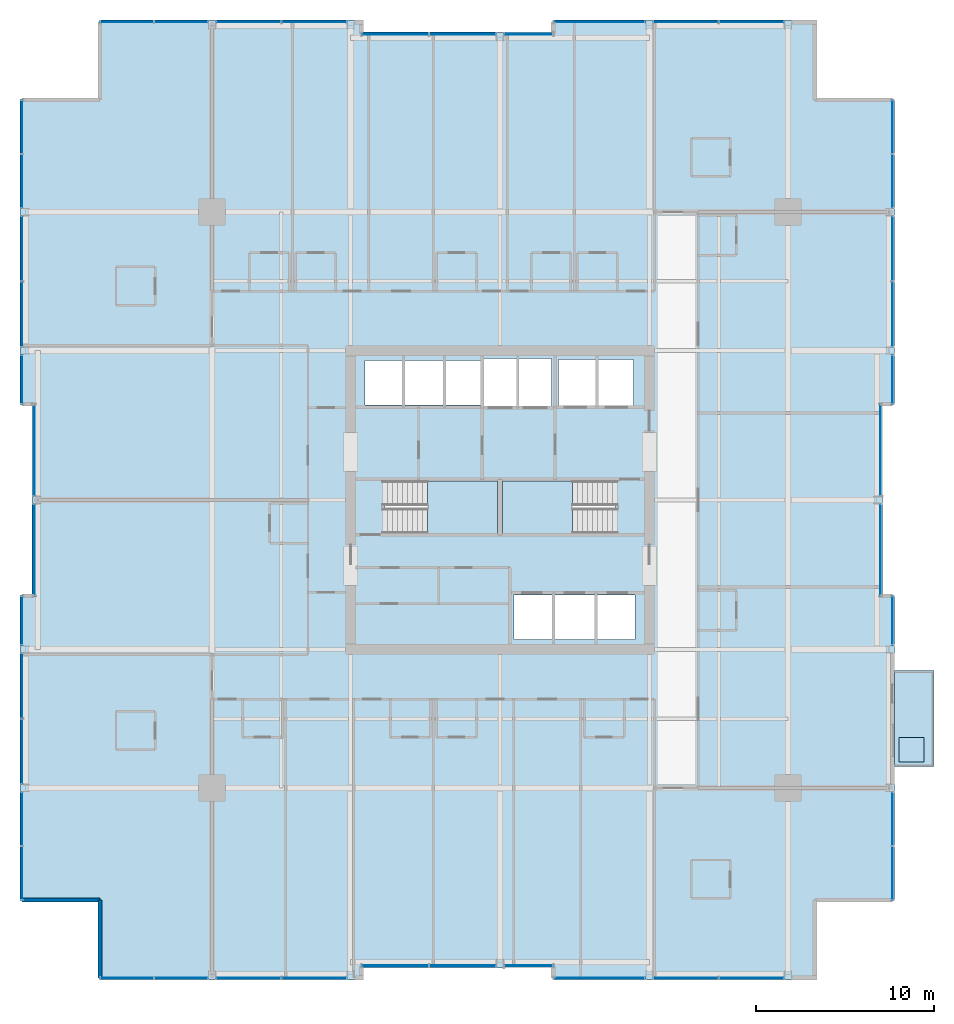
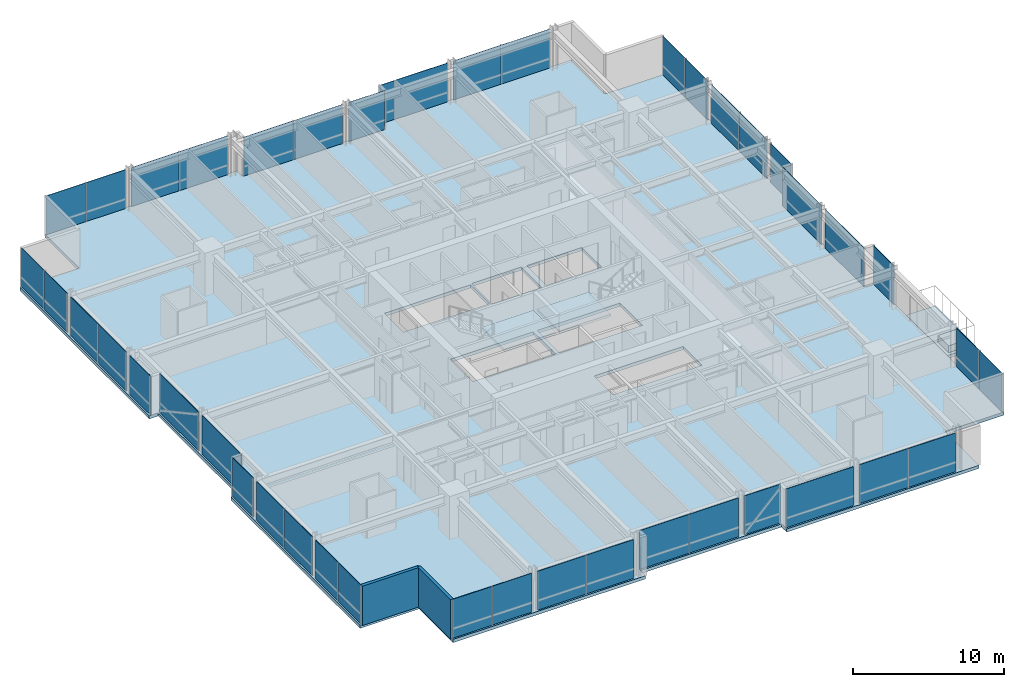
# One storey, part 27 of 35: 42 plates, 5 slabs, 2 walls, 29 elements without a shape of their own.
"""IFC4 building model written with IfcOpenShell, lengths in metres."""

from ifc_helpers import new_model, si_unit, direction, frame, frame_2d, origin, origin_2d, place, context, subcontext, project, spatial, polyline, rectangle, outline, extrude, material, layer, layer_set, type_object, element, aggregate, save


model = new_model("IFC4")

# Units and contexts
model_context = context("Model", 3, precision=1e-05, world=origin(), true_north=direction((0.0, 1.0)))
body_context = subcontext(model_context, "Body", "Model", "MODEL_VIEW")
ifc_project = project(units=[si_unit("LENGTHUNIT", "METRE"), si_unit("AREAUNIT", "SQUARE_METRE"), si_unit("VOLUMEUNIT", "CUBIC_METRE"), si_unit("PLANEANGLEUNIT", "RADIAN"), si_unit("MASSUNIT", "GRAM", prefix="KILO")], contexts=[model_context])

# Site, building, storey
site_placement = place(None, origin())
site = spatial("IfcSite", under=ifc_project, at=site_placement, CompositionType="ELEMENT")
building_placement = place(site_placement, origin())
building = spatial("IfcBuilding", under=site, at=building_placement, Name="Drelvath Grand Hotel", CompositionType="ELEMENT")
storey_placement = place(building_placement, frame((0.0, 0.0, 137.300048828125)))
storey = spatial("IfcBuildingStorey", under=building, at=storey_placement, Name="L35", CompositionType="ELEMENT", Elevation=137.300048828125)

# Slabs
ifc_material_1 = material(Name="Concrete f'c 40 MPa", Category="concrete")
ifc_layer_1 = layer(ifc_material_1, 0.239990234375)
ifc_layer_set_1 = layer_set([ifc_layer_1], Name="Concrete f'c 40 MPa")
slab_type_1 = type_object("IfcSlabType", Name="Cantilevered Tree Balcony Slab 240", PredefinedType="FLOOR", material=ifc_layer_set_1)
slab_1_placement = place(storey_placement, frame((0.0, 0.0, -0.239990234375)))
element("IfcSlab", 1, at=slab_1_placement, inside=storey, type_object=slab_type_1, Name="L35 Cantilevered Tree Balcony Slab 1", PredefinedType="FLOOR", context=body_context, shape_type="SweptSolid", body=[
    extrude(outline(polyline([(22.199951171875, 12.0), (24.39990234375, 12.0), (24.39990234375, 17.39990234375), (22.199951171875, 17.39990234375), (22.199951171875, 12.0)])), origin(), (0.0, 0.0, 1.0), 0.239990234375),
])
ifc_layer_2 = layer(ifc_material_1, 0.260009765625)
ifc_layer_set_2 = layer_set([ifc_layer_2], Name="Concrete f'c 40 MPa")
slab_type_2 = type_object("IfcSlabType", Name="Composite RC Floor Slab 260", PredefinedType="FLOOR", material=ifc_layer_set_2)
slab_2_placement = place(storey_placement, frame((0.0, 0.0, -0.260009765625)))
element("IfcSlab", 2, at=slab_2_placement, inside=storey, type_object=slab_type_2, Name="L35 Structural Floor Slab", PredefinedType="FLOOR", context=body_context, shape_type="SweptSolid", body=[
    extrude(outline(polyline([(-22.5, 0.0), (-7.800048828125, 0.0), (-7.800048828125, 0.679931640625), (3.0, 0.679931640625), (3.0, 0.0), (17.699951171875, 0.0), (17.699951171875, 4.5), (22.199951171875, 4.5), (22.199951171875, 21.60009765625), (21.52001953125, 21.60009765625), (21.52001953125, 32.39990234375), (22.199951171875, 32.39990234375), (22.199951171875, 49.5), (17.699951171875, 49.5), (17.699951171875, 54.0), (3.0, 54.0), (3.0, 53.320068359375), (-7.800048828125, 53.320068359375), (-7.800048828125, 54.0), (-22.5, 54.0), (-22.5, 49.5), (-27.0, 49.5), (-27.0, 32.39990234375), (-26.320068359375, 32.39990234375), (-26.320068359375, 21.60009765625), (-27.0, 21.60009765625), (-27.0, 4.5), (-22.5, 4.5), (-22.5, 0.0)]), holes=[polyline([(-6.47998046875, 25.1201171875), (-6.47998046875, 28.080078125), (-0.14990234375, 28.080078125), (-0.14990234375, 25.1201171875), (-6.47998046875, 25.1201171875)]), polyline([(0.14990234375, 25.1201171875), (0.14990234375, 28.080078125), (6.47998046875, 28.080078125), (6.47998046875, 25.1201171875), (0.14990234375, 25.1201171875)]), polyline([(0.800048828125, 19.14990234375), (0.800048828125, 21.64990234375), (7.60009765625, 21.64990234375), (7.60009765625, 19.14990234375), (0.800048828125, 19.14990234375)]), polyline([(-7.60009765625, 32.35009765625), (-7.60009765625, 34.85009765625), (-1.02001953125, 34.85009765625), (-1.02001953125, 32.35009765625), (-7.60009765625, 32.35009765625)]), polyline([(-0.89990234375, 32.25), (-0.89990234375, 34.949951171875), (2.89990234375, 34.949951171875), (2.89990234375, 32.25), (-0.89990234375, 32.25)]), polyline([(3.300048828125, 32.300048828125), (3.300048828125, 34.89990234375), (7.5, 34.89990234375), (7.5, 32.300048828125), (3.300048828125, 32.300048828125)])]), origin(), (0.0, 0.0, 1.0), 0.260009765625),
])

# Stair, slab
ifc_material_2 = material(Name="Concrete C40/50", Category="concrete")
stair_type = type_object("IfcStairType", Name="Dogleg Exit Stair W1400-R175.0", PredefinedType="HALF_TURN_STAIR", material=ifc_material_2)
stair_1_placement = place(storey_placement, origin())
stair_1 = element("IfcStair", 3, at=stair_1_placement, inside=storey, type_object=stair_type, Name="L35 Core Exit Stair ST-1", PredefinedType="HALF_TURN_STAIR")
ifc_layer_3 = layer(ifc_material_2, 0.199951171875)
ifc_layer_set_3 = layer_set([ifc_layer_3], Name="Concrete C40/50")
slab_type_3 = type_object("IfcSlabType", Name="Concrete Stair Landing Slab 200", PredefinedType="LANDING", material=ifc_layer_set_3)
slab_3_placement = place(storey_placement, frame((0.0, 0.0, 1.550048828125)))
slab_3 = element("IfcSlab", 4, at=slab_3_placement, type_object=slab_type_3, Name="ST-1 landing 1", PredefinedType="LANDING", context=body_context, shape_type="SweptSolid", body=[
    extrude(outline(polyline([(-4.080078125, 25.1201171875), (-0.14990234375, 25.1201171875), (-0.14990234375, 28.080078125), (-4.080078125, 28.080078125), (-4.080078125, 25.1201171875)])), origin(), (0.0, 0.0, 1.0), 0.199951171875),
])
aggregate(stair_1, [slab_3])

stair_2_placement = place(storey_placement, origin())
stair_2 = element("IfcStair", 5, at=stair_2_placement, inside=storey, type_object=stair_type, Name="L35 Core Exit Stair ST-2", PredefinedType="HALF_TURN_STAIR")
slab_4_placement = place(storey_placement, frame((0.0, 0.0, 1.550048828125)))
slab_4 = element("IfcSlab", 6, at=slab_4_placement, type_object=slab_type_3, Name="ST-2 landing 1", PredefinedType="LANDING", context=body_context, shape_type="SweptSolid", body=[
    extrude(outline(polyline([(4.080078125, 28.080078125), (0.14990234375, 28.080078125), (0.14990234375, 25.1201171875), (4.080078125, 25.1201171875), (4.080078125, 28.080078125)])), origin(), (0.0, 0.0, 1.0), 0.199951171875),
])
aggregate(stair_2, [slab_4])

# Curtain wall, plates
ifc_material_3 = material(Name="Champagne Bronze Anodised Aluminium Frame", Category="aluminium")
ifc_layer_4 = layer(ifc_material_3, 0.199951171875)
ifc_layer_set_4 = layer_set([ifc_layer_4], Name="Champagne Bronze Anodised Aluminium Frame")
curtain_wall_type = type_object("IfcCurtainWallType", Name="Stick Curtain Wall CW-03 Champagne Bronze Mid-Rise", PredefinedType="NOTDEFINED", material=ifc_layer_set_4)
curtain_wall_1_placement = place(storey_placement, origin())
curtain_wall_1 = element("IfcCurtainWall", 7, at=curtain_wall_1_placement, inside=storey, type_object=curtain_wall_type, Name="L35 CW-03 Curtain Wall CW03-L35-WS1", PredefinedType="NOTDEFINED")
ifc_material_4 = material(Name="Low-E Triple Silver Vision Glass Neutral", Category="glass")
ifc_layer_5 = layer(ifc_material_4, 0.035888671875)
ifc_layer_set_5 = layer_set([ifc_layer_5], Name="Low-E Triple Silver Vision Glass Neutral")
plate_type = type_object("IfcPlateType", Name="Curtain Wall Vision Panel CW-03 36mm", PredefinedType="CURTAIN_PANEL", material=ifc_layer_set_5)
plate_1_placement = place(storey_placement, frame((-26.8798828125, 6.022705078125, 0.02001953125), z_axis=(0.0, 0.0, 1.0), x_axis=(0.0, 1.0, 0.0)))
plate_1 = element("IfcPlate", 8, at=plate_1_placement, type_object=plate_type, Name="CW03-L35-WS1 Glazed Panel 1", PredefinedType="CURTAIN_PANEL", context=body_context, shape_type="SweptSolid", body=[
    extrude(rectangle(XDim=3.00537109375, YDim=0.035888671875, at=origin_2d()), origin(), (0.0, 0.0, 1.0), 3.139892578125),
])
plate_2_placement = place(storey_placement, frame((-26.8798828125, 9.06787109375, 0.02001953125), z_axis=(0.0, 0.0, 1.0), x_axis=(0.0, 1.0, 0.0)))
plate_2 = element("IfcPlate", 9, at=plate_2_placement, type_object=plate_type, Name="CW03-L35-WS1 Glazed Panel 2", PredefinedType="CURTAIN_PANEL", context=body_context, shape_type="SweptSolid", body=[
    extrude(rectangle(XDim=3.00537109375, YDim=0.035888671875, at=origin_2d()), origin(), (0.0, 0.0, 1.0), 3.139892578125),
])
aggregate(curtain_wall_1, [plate_1, plate_2])

curtain_wall_2_placement = place(storey_placement, origin())
curtain_wall_2 = element("IfcCurtainWall", 10, at=curtain_wall_2_placement, inside=storey, type_object=curtain_wall_type, Name="L35 CW-03 Curtain Wall CW03-L35-WS2", PredefinedType="NOTDEFINED")
plate_3_placement = place(storey_placement, frame((-26.8798828125, 12.854736328125, 0.02001953125), z_axis=(0.0, 0.0, 1.0), x_axis=(0.0, 1.0, 0.0)))
plate_3 = element("IfcPlate", 11, at=plate_3_placement, type_object=plate_type, Name="CW03-L35-WS2 Glazed Panel 1", PredefinedType="CURTAIN_PANEL", context=body_context, shape_type="SweptSolid", body=[
    extrude(rectangle(XDim=3.650634765625, YDim=0.035888671875, at=origin_2d()), origin(), (0.0, 0.0, 1.0), 3.139892578125),
])
plate_4_placement = place(storey_placement, frame((-26.8798828125, 16.54541015625, 0.02001953125), z_axis=(0.0, 0.0, 1.0), x_axis=(0.0, 1.0, 0.0)))
plate_4 = element("IfcPlate", 12, at=plate_4_placement, type_object=plate_type, Name="CW03-L35-WS2 Glazed Panel 2", PredefinedType="CURTAIN_PANEL", context=body_context, shape_type="SweptSolid", body=[
    extrude(rectangle(XDim=3.650634765625, YDim=0.035888671875, at=origin_2d()), origin(), (0.0, 0.0, 1.0), 3.139892578125),
])
aggregate(curtain_wall_2, [plate_3, plate_4])

# Curtain wall, plate
curtain_wall_3_placement = place(storey_placement, origin())
curtain_wall_3 = element("IfcCurtainWall", 13, at=curtain_wall_3_placement, inside=storey, type_object=curtain_wall_type, Name="L35 CW-03 Curtain Wall CW03-L35-WS3", PredefinedType="NOTDEFINED")
plate_5_placement = place(storey_placement, frame((-26.8798828125, 20.20458984375, 0.02001953125), z_axis=(0.0, 0.0, 1.0), x_axis=(0.0, 1.0, 0.0)))
plate_5 = element("IfcPlate", 14, at=plate_5_placement, type_object=plate_type, Name="CW03-L35-WS3 Glazed Panel 1", PredefinedType="CURTAIN_PANEL", context=body_context, shape_type="SweptSolid", body=[
    extrude(rectangle(XDim=2.75048828125, YDim=0.035888671875, at=origin_2d()), origin(), (0.0, 0.0, 1.0), 3.139892578125),
])
aggregate(curtain_wall_3, [plate_5])

curtain_wall_4_placement = place(storey_placement, origin())
curtain_wall_4 = element("IfcCurtainWall", 15, at=curtain_wall_4_placement, inside=storey, type_object=curtain_wall_type, Name="L35 CW-03 Curtain Wall CW03-L35-WM1", PredefinedType="NOTDEFINED")
plate_6_placement = place(storey_placement, frame((-26.199951171875, 24.1953125, 0.02001953125), z_axis=(0.0, 0.0, 1.0), x_axis=(0.0, 1.0, 0.0)))
plate_6 = element("IfcPlate", 16, at=plate_6_placement, type_object=plate_type, Name="CW03-L35-WM1 Glazed Panel 1", PredefinedType="CURTAIN_PANEL", context=body_context, shape_type="SweptSolid", body=[
    extrude(rectangle(XDim=5.150634765625, YDim=0.035888671875, at=origin_2d()), origin(), (0.0, 0.0, 1.0), 3.139892578125),
])
aggregate(curtain_wall_4, [plate_6])

curtain_wall_5_placement = place(storey_placement, origin())
curtain_wall_5 = element("IfcCurtainWall", 17, at=curtain_wall_5_placement, inside=storey, type_object=curtain_wall_type, Name="L35 CW-03 Curtain Wall CW03-L35-WM2", PredefinedType="NOTDEFINED")
plate_7_placement = place(storey_placement, frame((-26.199951171875, 29.8046875, 0.02001953125), z_axis=(0.0, 0.0, 1.0), x_axis=(0.0, 1.0, 0.0)))
plate_7 = element("IfcPlate", 18, at=plate_7_placement, type_object=plate_type, Name="CW03-L35-WM2 Glazed Panel 1", PredefinedType="CURTAIN_PANEL", context=body_context, shape_type="SweptSolid", body=[
    extrude(rectangle(XDim=5.150634765625, YDim=0.035888671875, at=origin_2d()), origin(), (0.0, 0.0, 1.0), 3.139892578125),
])
aggregate(curtain_wall_5, [plate_7])

curtain_wall_6_placement = place(storey_placement, origin())
curtain_wall_6 = element("IfcCurtainWall", 19, at=curtain_wall_6_placement, inside=storey, type_object=curtain_wall_type, Name="L35 CW-03 Curtain Wall CW03-L35-WN1", PredefinedType="NOTDEFINED")
plate_8_placement = place(storey_placement, frame((-26.8798828125, 33.79541015625, 0.02001953125), z_axis=(0.0, 0.0, 1.0), x_axis=(0.0, 1.0, 0.0)))
plate_8 = element("IfcPlate", 20, at=plate_8_placement, type_object=plate_type, Name="CW03-L35-WN1 Glazed Panel 1", PredefinedType="CURTAIN_PANEL", context=body_context, shape_type="SweptSolid", body=[
    extrude(rectangle(XDim=2.75048828125, YDim=0.035888671875, at=origin_2d()), origin(), (0.0, 0.0, 1.0), 3.139892578125),
])
aggregate(curtain_wall_6, [plate_8])

# Curtain wall, plates
curtain_wall_7_placement = place(storey_placement, origin())
curtain_wall_7 = element("IfcCurtainWall", 21, at=curtain_wall_7_placement, inside=storey, type_object=curtain_wall_type, Name="L35 CW-03 Curtain Wall CW03-L35-WN2", PredefinedType="NOTDEFINED")
plate_9_placement = place(storey_placement, frame((-26.8798828125, 37.45458984375, 0.02001953125), z_axis=(0.0, 0.0, 1.0), x_axis=(0.0, 1.0, 0.0)))
plate_9 = element("IfcPlate", 22, at=plate_9_placement, type_object=plate_type, Name="CW03-L35-WN2 Glazed Panel 1", PredefinedType="CURTAIN_PANEL", context=body_context, shape_type="SweptSolid", body=[
    extrude(rectangle(XDim=3.650634765625, YDim=0.035888671875, at=origin_2d()), origin(), (0.0, 0.0, 1.0), 3.139892578125),
])
plate_10_placement = place(storey_placement, frame((-26.8798828125, 41.145263671875, 0.02001953125), z_axis=(0.0, 0.0, 1.0), x_axis=(0.0, 1.0, 0.0)))
plate_10 = element("IfcPlate", 23, at=plate_10_placement, type_object=plate_type, Name="CW03-L35-WN2 Glazed Panel 2", PredefinedType="CURTAIN_PANEL", context=body_context, shape_type="SweptSolid", body=[
    extrude(rectangle(XDim=3.650634765625, YDim=0.035888671875, at=origin_2d()), origin(), (0.0, 0.0, 1.0), 3.139892578125),
])
aggregate(curtain_wall_7, [plate_9, plate_10])

curtain_wall_8_placement = place(storey_placement, origin())
curtain_wall_8 = element("IfcCurtainWall", 24, at=curtain_wall_8_placement, inside=storey, type_object=curtain_wall_type, Name="L35 CW-03 Curtain Wall CW03-L35-WN3", PredefinedType="NOTDEFINED")
plate_11_placement = place(storey_placement, frame((-26.8798828125, 44.93212890625, 0.02001953125), z_axis=(0.0, 0.0, 1.0), x_axis=(0.0, 1.0, 0.0)))
plate_11 = element("IfcPlate", 25, at=plate_11_placement, type_object=plate_type, Name="CW03-L35-WN3 Glazed Panel 1", PredefinedType="CURTAIN_PANEL", context=body_context, shape_type="SweptSolid", body=[
    extrude(rectangle(XDim=3.00537109375, YDim=0.035888671875, at=origin_2d()), origin(), (0.0, 0.0, 1.0), 3.139892578125),
])
plate_12_placement = place(storey_placement, frame((-26.8798828125, 47.977294921875, 0.02001953125), z_axis=(0.0, 0.0, 1.0), x_axis=(0.0, 1.0, 0.0)))
plate_12 = element("IfcPlate", 26, at=plate_12_placement, type_object=plate_type, Name="CW03-L35-WN3 Glazed Panel 2", PredefinedType="CURTAIN_PANEL", context=body_context, shape_type="SweptSolid", body=[
    extrude(rectangle(XDim=3.00537109375, YDim=0.035888671875, at=origin_2d()), origin(), (0.0, 0.0, 1.0), 3.139892578125),
])
aggregate(curtain_wall_8, [plate_11, plate_12])

# Curtain wall, plate
curtain_wall_9_placement = place(storey_placement, origin())
curtain_wall_9 = element("IfcCurtainWall", 27, at=curtain_wall_9_placement, inside=storey, type_object=curtain_wall_type, Name="L35 CW-03 Curtain Wall CW03-L35-EN1", PredefinedType="NOTDEFINED")
plate_13_placement = place(storey_placement, frame((22.080078125, 33.79541015625, 0.02001953125), z_axis=(0.0, 0.0, 1.0), x_axis=(0.0, -1.0, 0.0)))
plate_13 = element("IfcPlate", 28, at=plate_13_placement, type_object=plate_type, Name="CW03-L35-EN1 Glazed Panel 1", PredefinedType="CURTAIN_PANEL", context=body_context, shape_type="SweptSolid", body=[
    extrude(rectangle(XDim=2.75048828125, YDim=0.035888671875, at=origin_2d()), origin(), (0.0, 0.0, 1.0), 3.139892578125),
])
aggregate(curtain_wall_9, [plate_13])

# Curtain wall, plates
curtain_wall_10_placement = place(storey_placement, origin())
curtain_wall_10 = element("IfcCurtainWall", 29, at=curtain_wall_10_placement, inside=storey, type_object=curtain_wall_type, Name="L35 CW-03 Curtain Wall CW03-L35-EN2", PredefinedType="NOTDEFINED")
plate_14_placement = place(storey_placement, frame((22.080078125, 41.145263671875, 0.02001953125), z_axis=(0.0, 0.0, 1.0), x_axis=(0.0, -1.0, 0.0)))
plate_14 = element("IfcPlate", 30, at=plate_14_placement, type_object=plate_type, Name="CW03-L35-EN2 Glazed Panel 1", PredefinedType="CURTAIN_PANEL", context=body_context, shape_type="SweptSolid", body=[
    extrude(rectangle(XDim=3.650634765625, YDim=0.035888671875, at=origin_2d()), origin(), (0.0, 0.0, 1.0), 3.139892578125),
])
plate_15_placement = place(storey_placement, frame((22.080078125, 37.45458984375, 0.02001953125), z_axis=(0.0, 0.0, 1.0), x_axis=(0.0, -1.0, 0.0)))
plate_15 = element("IfcPlate", 31, at=plate_15_placement, type_object=plate_type, Name="CW03-L35-EN2 Glazed Panel 2", PredefinedType="CURTAIN_PANEL", context=body_context, shape_type="SweptSolid", body=[
    extrude(rectangle(XDim=3.650634765625, YDim=0.035888671875, at=origin_2d()), origin(), (0.0, 0.0, 1.0), 3.139892578125),
])
aggregate(curtain_wall_10, [plate_14, plate_15])

curtain_wall_11_placement = place(storey_placement, origin())
curtain_wall_11 = element("IfcCurtainWall", 32, at=curtain_wall_11_placement, inside=storey, type_object=curtain_wall_type, Name="L35 CW-03 Curtain Wall CW03-L35-EN3", PredefinedType="NOTDEFINED")
plate_16_placement = place(storey_placement, frame((22.080078125, 47.977294921875, 0.02001953125), z_axis=(0.0, 0.0, 1.0), x_axis=(0.0, -1.0, 0.0)))
plate_16 = element("IfcPlate", 33, at=plate_16_placement, type_object=plate_type, Name="CW03-L35-EN3 Glazed Panel 1", PredefinedType="CURTAIN_PANEL", context=body_context, shape_type="SweptSolid", body=[
    extrude(rectangle(XDim=3.00537109375, YDim=0.035888671875, at=origin_2d()), origin(), (0.0, 0.0, 1.0), 3.139892578125),
])
plate_17_placement = place(storey_placement, frame((22.080078125, 44.93212890625, 0.02001953125), z_axis=(0.0, 0.0, 1.0), x_axis=(0.0, -1.0, 0.0)))
plate_17 = element("IfcPlate", 34, at=plate_17_placement, type_object=plate_type, Name="CW03-L35-EN3 Glazed Panel 2", PredefinedType="CURTAIN_PANEL", context=body_context, shape_type="SweptSolid", body=[
    extrude(rectangle(XDim=3.00537109375, YDim=0.035888671875, at=origin_2d()), origin(), (0.0, 0.0, 1.0), 3.139892578125),
])
aggregate(curtain_wall_11, [plate_16, plate_17])

# Curtain wall, plate
curtain_wall_12_placement = place(storey_placement, origin())
curtain_wall_12 = element("IfcCurtainWall", 35, at=curtain_wall_12_placement, inside=storey, type_object=curtain_wall_type, Name="L35 CW-03 Curtain Wall CW03-L35-EM1", PredefinedType="NOTDEFINED")
plate_18_placement = place(storey_placement, frame((21.39990234375, 24.1953125, 0.02001953125), z_axis=(0.0, 0.0, 1.0), x_axis=(0.0, -1.0, 0.0)))
plate_18 = element("IfcPlate", 36, at=plate_18_placement, type_object=plate_type, Name="CW03-L35-EM1 Glazed Panel 1", PredefinedType="CURTAIN_PANEL", context=body_context, shape_type="SweptSolid", body=[
    extrude(rectangle(XDim=5.150634765625, YDim=0.035888671875, at=origin_2d()), origin(), (0.0, 0.0, 1.0), 3.139892578125),
])
aggregate(curtain_wall_12, [plate_18])

curtain_wall_13_placement = place(storey_placement, origin())
curtain_wall_13 = element("IfcCurtainWall", 37, at=curtain_wall_13_placement, inside=storey, type_object=curtain_wall_type, Name="L35 CW-03 Curtain Wall CW03-L35-EM2", PredefinedType="NOTDEFINED")
plate_19_placement = place(storey_placement, frame((21.39990234375, 29.8046875, 0.02001953125), z_axis=(0.0, 0.0, 1.0), x_axis=(0.0, -1.0, 0.0)))
plate_19 = element("IfcPlate", 38, at=plate_19_placement, type_object=plate_type, Name="CW03-L35-EM2 Glazed Panel 1", PredefinedType="CURTAIN_PANEL", context=body_context, shape_type="SweptSolid", body=[
    extrude(rectangle(XDim=5.150634765625, YDim=0.035888671875, at=origin_2d()), origin(), (0.0, 0.0, 1.0), 3.139892578125),
])
aggregate(curtain_wall_13, [plate_19])

# Curtain wall, plates
curtain_wall_14_placement = place(storey_placement, origin())
curtain_wall_14 = element("IfcCurtainWall", 39, at=curtain_wall_14_placement, inside=storey, type_object=curtain_wall_type, Name="L35 CW-03 Curtain Wall CW03-L35-ES1", PredefinedType="NOTDEFINED")
plate_20_placement = place(storey_placement, frame((22.080078125, 9.06787109375, 0.02001953125), z_axis=(0.0, 0.0, 1.0), x_axis=(0.0, -1.0, 0.0)))
plate_20 = element("IfcPlate", 40, at=plate_20_placement, type_object=plate_type, Name="CW03-L35-ES1 Glazed Panel 1", PredefinedType="CURTAIN_PANEL", context=body_context, shape_type="SweptSolid", body=[
    extrude(rectangle(XDim=3.00537109375, YDim=0.035888671875, at=origin_2d()), origin(), (0.0, 0.0, 1.0), 3.139892578125),
])
plate_21_placement = place(storey_placement, frame((22.080078125, 6.022705078125, 0.02001953125), z_axis=(0.0, 0.0, 1.0), x_axis=(0.0, -1.0, 0.0)))
plate_21 = element("IfcPlate", 41, at=plate_21_placement, type_object=plate_type, Name="CW03-L35-ES1 Glazed Panel 2", PredefinedType="CURTAIN_PANEL", context=body_context, shape_type="SweptSolid", body=[
    extrude(rectangle(XDim=3.00537109375, YDim=0.035888671875, at=origin_2d()), origin(), (0.0, 0.0, 1.0), 3.139892578125),
])
aggregate(curtain_wall_14, [plate_20, plate_21])

# Curtain wall, plate
curtain_wall_15_placement = place(storey_placement, origin())
curtain_wall_15 = element("IfcCurtainWall", 42, at=curtain_wall_15_placement, inside=storey, type_object=curtain_wall_type, Name="L35 CW-03 Curtain Wall CW03-L35-ES3", PredefinedType="NOTDEFINED")
plate_22_placement = place(storey_placement, frame((22.080078125, 20.20458984375, 0.02001953125), z_axis=(0.0, 0.0, 1.0), x_axis=(0.0, -1.0, 0.0)))
plate_22 = element("IfcPlate", 43, at=plate_22_placement, type_object=plate_type, Name="CW03-L35-ES3 Glazed Panel 1", PredefinedType="CURTAIN_PANEL", context=body_context, shape_type="SweptSolid", body=[
    extrude(rectangle(XDim=2.75048828125, YDim=0.035888671875, at=origin_2d()), origin(), (0.0, 0.0, 1.0), 3.139892578125),
])
aggregate(curtain_wall_15, [plate_22])

# Curtain wall, plates
curtain_wall_16_placement = place(storey_placement, origin())
curtain_wall_16 = element("IfcCurtainWall", 44, at=curtain_wall_16_placement, inside=storey, type_object=curtain_wall_type, Name="L35 CW-03 Curtain Wall CW03-L35-NW1", PredefinedType="NOTDEFINED")
plate_23_placement = place(storey_placement, frame((-20.977294921875, 53.8798828125, 0.02001953125), z_axis=(0.0, 0.0, 1.0), x_axis=(1.0, 0.0, 0.0)))
plate_23 = element("IfcPlate", 45, at=plate_23_placement, type_object=plate_type, Name="CW03-L35-NW1 Glazed Panel 1", PredefinedType="CURTAIN_PANEL", context=body_context, shape_type="SweptSolid", body=[
    extrude(rectangle(XDim=3.00537109375, YDim=0.035888671875, at=origin_2d()), origin(), (0.0, 0.0, 1.0), 3.139892578125),
])
plate_24_placement = place(storey_placement, frame((-17.93212890625, 53.8798828125, 0.02001953125), z_axis=(0.0, 0.0, 1.0), x_axis=(1.0, 0.0, 0.0)))
plate_24 = element("IfcPlate", 46, at=plate_24_placement, type_object=plate_type, Name="CW03-L35-NW1 Glazed Panel 2", PredefinedType="CURTAIN_PANEL", context=body_context, shape_type="SweptSolid", body=[
    extrude(rectangle(XDim=3.00537109375, YDim=0.035888671875, at=origin_2d()), origin(), (0.0, 0.0, 1.0), 3.139892578125),
])
aggregate(curtain_wall_16, [plate_23, plate_24])

curtain_wall_17_placement = place(storey_placement, origin())
curtain_wall_17 = element("IfcCurtainWall", 47, at=curtain_wall_17_placement, inside=storey, type_object=curtain_wall_type, Name="L35 CW-03 Curtain Wall CW03-L35-NW2", PredefinedType="NOTDEFINED")
plate_25_placement = place(storey_placement, frame((-14.145263671875, 53.8798828125, 0.02001953125), z_axis=(0.0, 0.0, 1.0), x_axis=(1.0, 0.0, 0.0)))
plate_25 = element("IfcPlate", 48, at=plate_25_placement, type_object=plate_type, Name="CW03-L35-NW2 Glazed Panel 1", PredefinedType="CURTAIN_PANEL", context=body_context, shape_type="SweptSolid", body=[
    extrude(rectangle(XDim=3.650634765625, YDim=0.035888671875, at=origin_2d()), origin(), (0.0, 0.0, 1.0), 3.139892578125),
])
plate_26_placement = place(storey_placement, frame((-10.45458984375, 53.8798828125, 0.02001953125), z_axis=(0.0, 0.0, 1.0), x_axis=(1.0, 0.0, 0.0)))
plate_26 = element("IfcPlate", 49, at=plate_26_placement, type_object=plate_type, Name="CW03-L35-NW2 Glazed Panel 2", PredefinedType="CURTAIN_PANEL", context=body_context, shape_type="SweptSolid", body=[
    extrude(rectangle(XDim=3.650634765625, YDim=0.035888671875, at=origin_2d()), origin(), (0.0, 0.0, 1.0), 3.139892578125),
])
aggregate(curtain_wall_17, [plate_25, plate_26])

curtain_wall_18_placement = place(storey_placement, origin())
curtain_wall_18 = element("IfcCurtainWall", 50, at=curtain_wall_18_placement, inside=storey, type_object=curtain_wall_type, Name="L35 CW-03 Curtain Wall CW03-L35-NM1", PredefinedType="NOTDEFINED")
plate_27_placement = place(storey_placement, frame((-5.90234375, 53.199951171875, 0.02001953125), z_axis=(0.0, 0.0, 1.0), x_axis=(1.0, 0.0, 0.0)))
plate_27 = element("IfcPlate", 51, at=plate_27_placement, type_object=plate_type, Name="CW03-L35-NM1 Glazed Panel 1", PredefinedType="CURTAIN_PANEL", context=body_context, shape_type="SweptSolid", body=[
    extrude(rectangle(XDim=3.75537109375, YDim=0.035888671875, at=origin_2d()), origin(), (0.0, 0.0, 1.0), 3.139892578125),
])
plate_28_placement = place(storey_placement, frame((-2.107177734375, 53.199951171875, 0.02001953125), z_axis=(0.0, 0.0, 1.0), x_axis=(1.0, 0.0, 0.0)))
plate_28 = element("IfcPlate", 52, at=plate_28_placement, type_object=plate_type, Name="CW03-L35-NM1 Glazed Panel 2", PredefinedType="CURTAIN_PANEL", context=body_context, shape_type="SweptSolid", body=[
    extrude(rectangle(XDim=3.75537109375, YDim=0.035888671875, at=origin_2d()), origin(), (0.0, 0.0, 1.0), 3.139892578125),
])
aggregate(curtain_wall_18, [plate_27, plate_28])

# Curtain wall, plate
curtain_wall_19_placement = place(storey_placement, origin())
curtain_wall_19 = element("IfcCurtainWall", 53, at=curtain_wall_19_placement, inside=storey, type_object=curtain_wall_type, Name="L35 CW-03 Curtain Wall CW03-L35-NM2", PredefinedType="NOTDEFINED")
plate_29_placement = place(storey_placement, frame((1.604736328125, 53.199951171875, 0.02001953125), z_axis=(0.0, 0.0, 1.0), x_axis=(1.0, 0.0, 0.0)))
plate_29 = element("IfcPlate", 54, at=plate_29_placement, type_object=plate_type, Name="CW03-L35-NM2 Glazed Panel 1", PredefinedType="CURTAIN_PANEL", context=body_context, shape_type="SweptSolid", body=[
    extrude(rectangle(XDim=2.75048828125, YDim=0.035888671875, at=origin_2d()), origin(), (0.0, 0.0, 1.0), 3.139892578125),
])
aggregate(curtain_wall_19, [plate_29])

curtain_wall_20_placement = place(storey_placement, origin())
curtain_wall_20 = element("IfcCurtainWall", 55, at=curtain_wall_20_placement, inside=storey, type_object=curtain_wall_type, Name="L35 CW-03 Curtain Wall CW03-L35-NE1", PredefinedType="NOTDEFINED")
plate_30_placement = place(storey_placement, frame((5.59521484375, 53.8798828125, 0.02001953125), z_axis=(0.0, 0.0, 1.0), x_axis=(1.0, 0.0, 0.0)))
plate_30 = element("IfcPlate", 56, at=plate_30_placement, type_object=plate_type, Name="CW03-L35-NE1 Glazed Panel 1", PredefinedType="CURTAIN_PANEL", context=body_context, shape_type="SweptSolid", body=[
    extrude(rectangle(XDim=5.150634765625, YDim=0.035888671875, at=origin_2d()), origin(), (0.0, 0.0, 1.0), 3.139892578125),
])
aggregate(curtain_wall_20, [plate_30])

# Curtain wall, plates
curtain_wall_21_placement = place(storey_placement, origin())
curtain_wall_21 = element("IfcCurtainWall", 57, at=curtain_wall_21_placement, inside=storey, type_object=curtain_wall_type, Name="L35 CW-03 Curtain Wall CW03-L35-NE2", PredefinedType="NOTDEFINED")
plate_31_placement = place(storey_placement, frame((10.45458984375, 53.8798828125, 0.02001953125), z_axis=(0.0, 0.0, 1.0), x_axis=(1.0, 0.0, 0.0)))
plate_31 = element("IfcPlate", 58, at=plate_31_placement, type_object=plate_type, Name="CW03-L35-NE2 Glazed Panel 1", PredefinedType="CURTAIN_PANEL", context=body_context, shape_type="SweptSolid", body=[
    extrude(rectangle(XDim=3.650634765625, YDim=0.035888671875, at=origin_2d()), origin(), (0.0, 0.0, 1.0), 3.139892578125),
])
plate_32_placement = place(storey_placement, frame((14.145263671875, 53.8798828125, 0.02001953125), z_axis=(0.0, 0.0, 1.0), x_axis=(1.0, 0.0, 0.0)))
plate_32 = element("IfcPlate", 59, at=plate_32_placement, type_object=plate_type, Name="CW03-L35-NE2 Glazed Panel 2", PredefinedType="CURTAIN_PANEL", context=body_context, shape_type="SweptSolid", body=[
    extrude(rectangle(XDim=3.650634765625, YDim=0.035888671875, at=origin_2d()), origin(), (0.0, 0.0, 1.0), 3.139892578125),
])
aggregate(curtain_wall_21, [plate_31, plate_32])

# Curtain wall, plate
curtain_wall_22_placement = place(storey_placement, origin())
curtain_wall_22 = element("IfcCurtainWall", 60, at=curtain_wall_22_placement, inside=storey, type_object=curtain_wall_type, Name="L35 CW-03 Curtain Wall CW03-L35-SE1", PredefinedType="NOTDEFINED")
plate_33_placement = place(storey_placement, frame((5.59521484375, 0.1201171875, 0.02001953125), z_axis=(0.0, 0.0, 1.0), x_axis=(-1.0, 0.0, 0.0)))
plate_33 = element("IfcPlate", 61, at=plate_33_placement, type_object=plate_type, Name="CW03-L35-SE1 Glazed Panel 1", PredefinedType="CURTAIN_PANEL", context=body_context, shape_type="SweptSolid", body=[
    extrude(rectangle(XDim=5.150634765625, YDim=0.035888671875, at=origin_2d()), origin(), (0.0, 0.0, 1.0), 3.139892578125),
])
aggregate(curtain_wall_22, [plate_33])

# Curtain wall, plates
curtain_wall_23_placement = place(storey_placement, origin())
curtain_wall_23 = element("IfcCurtainWall", 62, at=curtain_wall_23_placement, inside=storey, type_object=curtain_wall_type, Name="L35 CW-03 Curtain Wall CW03-L35-SE2", PredefinedType="NOTDEFINED")
plate_34_placement = place(storey_placement, frame((14.145263671875, 0.1201171875, 0.02001953125), z_axis=(0.0, 0.0, 1.0), x_axis=(-1.0, 0.0, 0.0)))
plate_34 = element("IfcPlate", 63, at=plate_34_placement, type_object=plate_type, Name="CW03-L35-SE2 Glazed Panel 1", PredefinedType="CURTAIN_PANEL", context=body_context, shape_type="SweptSolid", body=[
    extrude(rectangle(XDim=3.650634765625, YDim=0.035888671875, at=origin_2d()), origin(), (0.0, 0.0, 1.0), 3.139892578125),
])
plate_35_placement = place(storey_placement, frame((10.45458984375, 0.1201171875, 0.02001953125), z_axis=(0.0, 0.0, 1.0), x_axis=(-1.0, 0.0, 0.0)))
plate_35 = element("IfcPlate", 64, at=plate_35_placement, type_object=plate_type, Name="CW03-L35-SE2 Glazed Panel 2", PredefinedType="CURTAIN_PANEL", context=body_context, shape_type="SweptSolid", body=[
    extrude(rectangle(XDim=3.650634765625, YDim=0.035888671875, at=origin_2d()), origin(), (0.0, 0.0, 1.0), 3.139892578125),
])
aggregate(curtain_wall_23, [plate_34, plate_35])

curtain_wall_24_placement = place(storey_placement, origin())
curtain_wall_24 = element("IfcCurtainWall", 65, at=curtain_wall_24_placement, inside=storey, type_object=curtain_wall_type, Name="L35 CW-03 Curtain Wall CW03-L35-SM1", PredefinedType="NOTDEFINED")
plate_36_placement = place(storey_placement, frame((-2.107177734375, 0.800048828125, 0.02001953125), z_axis=(0.0, 0.0, 1.0), x_axis=(-1.0, 0.0, 0.0)))
plate_36 = element("IfcPlate", 66, at=plate_36_placement, type_object=plate_type, Name="CW03-L35-SM1 Glazed Panel 1", PredefinedType="CURTAIN_PANEL", context=body_context, shape_type="SweptSolid", body=[
    extrude(rectangle(XDim=3.75537109375, YDim=0.035888671875, at=origin_2d()), origin(), (0.0, 0.0, 1.0), 3.139892578125),
])
plate_37_placement = place(storey_placement, frame((-5.90234375, 0.800048828125, 0.02001953125), z_axis=(0.0, 0.0, 1.0), x_axis=(-1.0, 0.0, 0.0)))
plate_37 = element("IfcPlate", 67, at=plate_37_placement, type_object=plate_type, Name="CW03-L35-SM1 Glazed Panel 2", PredefinedType="CURTAIN_PANEL", context=body_context, shape_type="SweptSolid", body=[
    extrude(rectangle(XDim=3.75537109375, YDim=0.035888671875, at=origin_2d()), origin(), (0.0, 0.0, 1.0), 3.139892578125),
])
aggregate(curtain_wall_24, [plate_36, plate_37])

# Curtain wall, plate
curtain_wall_25_placement = place(storey_placement, origin())
curtain_wall_25 = element("IfcCurtainWall", 68, at=curtain_wall_25_placement, inside=storey, type_object=curtain_wall_type, Name="L35 CW-03 Curtain Wall CW03-L35-SM2", PredefinedType="NOTDEFINED")
plate_38_placement = place(storey_placement, frame((1.604736328125, 0.800048828125, 0.02001953125), z_axis=(0.0, 0.0, 1.0), x_axis=(-1.0, 0.0, 0.0)))
plate_38 = element("IfcPlate", 69, at=plate_38_placement, type_object=plate_type, Name="CW03-L35-SM2 Glazed Panel 1", PredefinedType="CURTAIN_PANEL", context=body_context, shape_type="SweptSolid", body=[
    extrude(rectangle(XDim=2.75048828125, YDim=0.035888671875, at=origin_2d()), origin(), (0.0, 0.0, 1.0), 3.139892578125),
])
aggregate(curtain_wall_25, [plate_38])

# Curtain wall, plates
curtain_wall_26_placement = place(storey_placement, origin())
curtain_wall_26 = element("IfcCurtainWall", 70, at=curtain_wall_26_placement, inside=storey, type_object=curtain_wall_type, Name="L35 CW-03 Curtain Wall CW03-L35-SW1", PredefinedType="NOTDEFINED")
plate_39_placement = place(storey_placement, frame((-17.93212890625, 0.1201171875, 0.02001953125), z_axis=(0.0, 0.0, 1.0), x_axis=(-1.0, 0.0, 0.0)))
plate_39 = element("IfcPlate", 71, at=plate_39_placement, type_object=plate_type, Name="CW03-L35-SW1 Glazed Panel 1", PredefinedType="CURTAIN_PANEL", context=body_context, shape_type="SweptSolid", body=[
    extrude(rectangle(XDim=3.00537109375, YDim=0.035888671875, at=origin_2d()), origin(), (0.0, 0.0, 1.0), 3.139892578125),
])
plate_40_placement = place(storey_placement, frame((-20.977294921875, 0.1201171875, 0.02001953125), z_axis=(0.0, 0.0, 1.0), x_axis=(-1.0, 0.0, 0.0)))
plate_40 = element("IfcPlate", 72, at=plate_40_placement, type_object=plate_type, Name="CW03-L35-SW1 Glazed Panel 2", PredefinedType="CURTAIN_PANEL", context=body_context, shape_type="SweptSolid", body=[
    extrude(rectangle(XDim=3.00537109375, YDim=0.035888671875, at=origin_2d()), origin(), (0.0, 0.0, 1.0), 3.139892578125),
])
aggregate(curtain_wall_26, [plate_39, plate_40])

curtain_wall_27_placement = place(storey_placement, origin())
curtain_wall_27 = element("IfcCurtainWall", 73, at=curtain_wall_27_placement, inside=storey, type_object=curtain_wall_type, Name="L35 CW-03 Curtain Wall CW03-L35-SW2", PredefinedType="NOTDEFINED")
plate_41_placement = place(storey_placement, frame((-10.45458984375, 0.1201171875, 0.02001953125), z_axis=(0.0, 0.0, 1.0), x_axis=(-1.0, 0.0, 0.0)))
plate_41 = element("IfcPlate", 74, at=plate_41_placement, type_object=plate_type, Name="CW03-L35-SW2 Glazed Panel 1", PredefinedType="CURTAIN_PANEL", context=body_context, shape_type="SweptSolid", body=[
    extrude(rectangle(XDim=3.650634765625, YDim=0.035888671875, at=origin_2d()), origin(), (0.0, 0.0, 1.0), 3.139892578125),
])
plate_42_placement = place(storey_placement, frame((-14.145263671875, 0.1201171875, 0.02001953125), z_axis=(0.0, 0.0, 1.0), x_axis=(-1.0, 0.0, 0.0)))
plate_42 = element("IfcPlate", 75, at=plate_42_placement, type_object=plate_type, Name="CW03-L35-SW2 Glazed Panel 2", PredefinedType="CURTAIN_PANEL", context=body_context, shape_type="SweptSolid", body=[
    extrude(rectangle(XDim=3.650634765625, YDim=0.035888671875, at=origin_2d()), origin(), (0.0, 0.0, 1.0), 3.139892578125),
])
aggregate(curtain_wall_27, [plate_41, plate_42])

# Slab
ifc_layer_6 = layer(ifc_material_1, 0.550048828125)
ifc_layer_set_6 = layer_set([ifc_layer_6], Name="Concrete f'c 40 MPa")
slab_type_4 = type_object("IfcSlabType", Name="Structural Tree Planter Box 550", PredefinedType="USERDEFINED", material=ifc_layer_set_6)
slab_5_placement = place(storey_placement, origin())
element("IfcSlab", 76, at=slab_5_placement, inside=storey, type_object=slab_type_4, Name="L35 Tree Balcony Structural Planter 1", ObjectType="PLANTER", PredefinedType="USERDEFINED", context=body_context, shape_type="SweptSolid", body=[
    extrude(outline(polyline([(22.449951171875, 12.25), (23.85009765625, 12.25), (23.85009765625, 13.64990234375), (22.449951171875, 13.64990234375), (22.449951171875, 12.25)])), origin(), (0.0, 0.0, 1.0), 0.550048828125),
])

# Walls
ifc_material_5 = material(Name="Pale-Metal Insulated Aluminium Spandrel Assembly", Category="aluminium")
ifc_layer_7 = layer(ifc_material_5, 0.239990234375)
ifc_layer_set_7 = layer_set([ifc_layer_7], Name="Pale-Metal Insulated Aluminium Spandrel Assembly")
wall_type = type_object("IfcWallType", Name="Tower Insulated Metal Spandrel Closure Wall 240", PredefinedType="STANDARD", material=ifc_layer_set_7)
for number, where, z_axis, x_axis, name in (
    (77, (-22.5, 0.1201171875, 0.0), (0.0, 0.0, 1.0), (0.0, 1.0, 0.0), "L35 Notched Corner Return Spandrel Wall CSW1"),
    (78, (-22.5, 4.5, 0.0), (0.0, 0.0, 1.0), (-1.0, 0.0, 0.0), "L35 Notched Corner Return Spandrel Wall CSW2"),
):
    element("IfcWall", number, at=place(storey_placement, frame(where, z_axis=z_axis, x_axis=x_axis)), inside=storey, type_object=wall_type, Name=name, PredefinedType="STANDARD", context=body_context, shape_type="SweptSolid", body=[
        extrude(rectangle(XDim=4.3798828125, YDim=0.239990234375, at=frame_2d((2.18994140625, 0.0))), origin(), (0.0, 0.0, 1.0), 3.179931640625),
    ])

save(model, "model.ifc")
